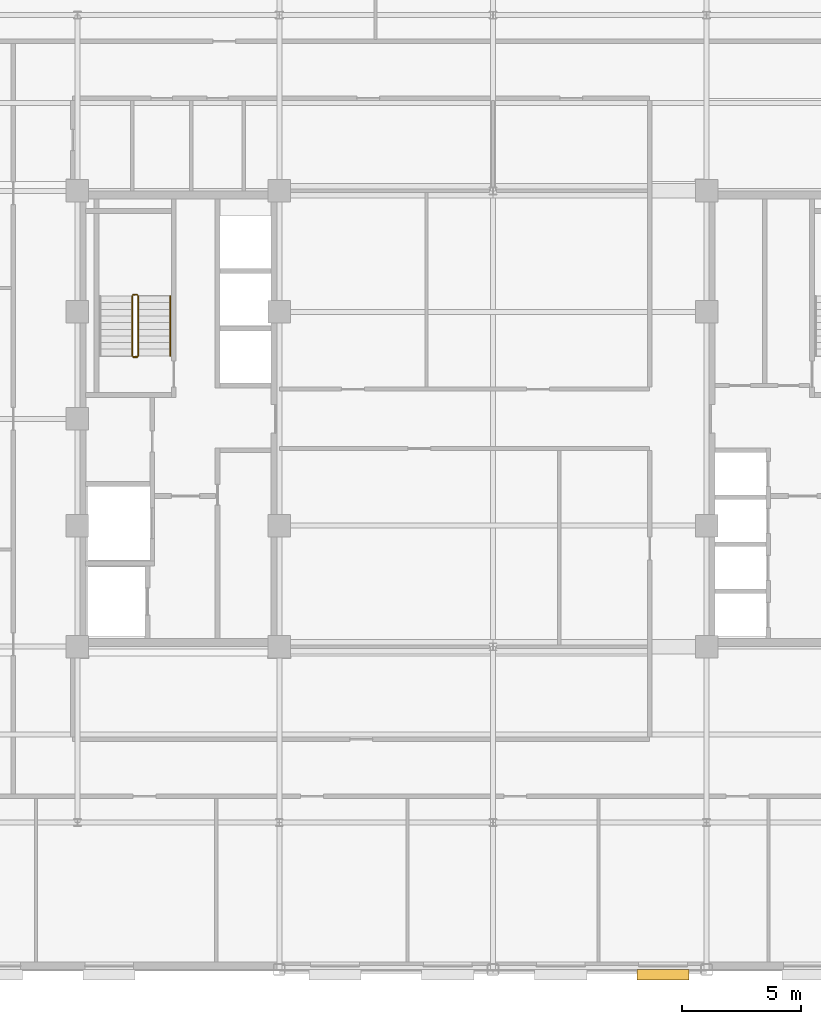
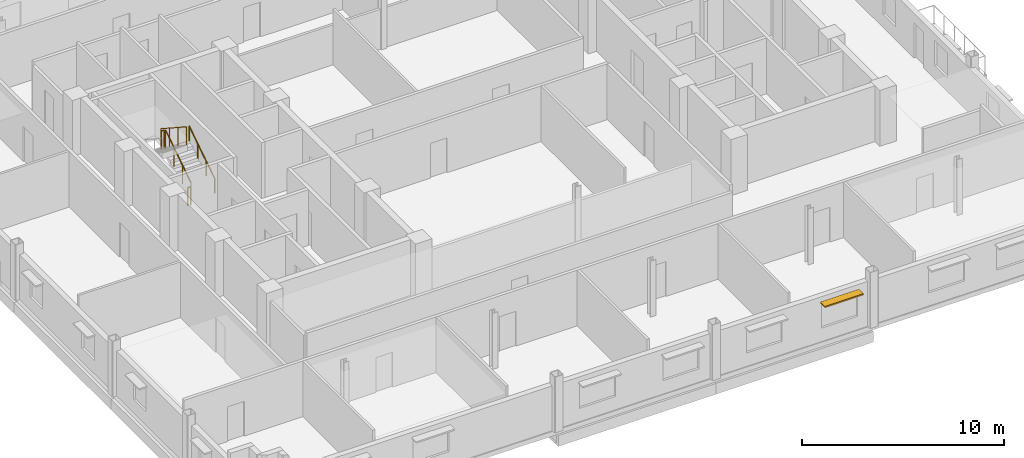
# One storey, part 13 of 15: 5 railings, 1 shading device.
"""IFC4 building model written with IfcOpenShell, lengths in metres."""

from ifc_helpers import new_model, si_unit, direction, frame, origin, origin_2d, place, context, subcontext, project, spatial, rectangle, circle, extrude, source, transform, mapped, material, type_object, type_shapes, element, save


model = new_model("IFC4")

# Units and contexts
model_context = context("Model", 3, precision=1e-05, world=origin(), true_north=direction((0.0, 1.0)))
body_context = subcontext(model_context, "Body", "Model", "MODEL_VIEW")
ifc_project = project(units=[si_unit("LENGTHUNIT", "METRE"), si_unit("AREAUNIT", "SQUARE_METRE"), si_unit("VOLUMEUNIT", "CUBIC_METRE"), si_unit("PLANEANGLEUNIT", "RADIAN"), si_unit("MASSUNIT", "GRAM", prefix="KILO")], contexts=[model_context])

# Site, building, storey
site_placement = place(None, origin())
site = spatial("IfcSite", under=ifc_project, at=site_placement, CompositionType="ELEMENT")
building_placement = place(site_placement, origin())
building = spatial("IfcBuilding", under=site, at=building_placement, Name="Nuvemarco Arch Tower", CompositionType="ELEMENT")
storey_placement = place(building_placement, frame((0.0, 0.0, 198.199951171875)))
storey = spatial("IfcBuildingStorey", under=building, at=storey_placement, Name="L52", CompositionType="ELEMENT", Elevation=198.199951171875)

# Railings
ifc_material_1 = material(Name="Brushed stainless steel handrail", Category="steel")
railing_type_1 = type_object("IfcRailingType", Name="RL-HANDRAIL-900", PredefinedType="HANDRAIL", material=ifc_material_1)
railing_1_placement = place(storey_placement, frame((-13.590087890625, 2.64990234375, 0.1826171875)))
element("IfcRailing", 1, at=railing_1_placement, inside=storey, type_object=railing_type_1, Name="L52 ST-1 stair handrail 1", PredefinedType="HANDRAIL", context=body_context, shape_type="SweptSolid", body=[
    extrude(circle(Radius=0.02392578125, at=origin_2d()), frame((0.0, 0.0, 0.8759765625), z_axis=(0.0, 0.837786554691, 0.545997883492), x_axis=(-1.0, 0.0, 0.0)), (0.0, 0.0, 1.0), 3.008056640625),
    extrude(circle(Radius=0.02099609375, at=origin_2d()), origin(), (0.0, 0.0, 1.0), 0.851806640625),
    extrude(circle(Radius=0.02099609375, at=origin_2d()), frame((0.0, 0.840087890625, 0.54736328125)), (0.0, 0.0, 1.0), 0.851806640625),
    extrude(circle(Radius=0.02099609375, at=origin_2d()), frame((0.0, 1.679931640625, 1.094970703125)), (0.0, 0.0, 1.0), 0.851806640625),
    extrude(circle(Radius=0.02099609375, at=origin_2d()), frame((0.0, 2.52001953125, 1.642333984375)), (0.0, 0.0, 1.0), 0.851806640625),
])
ifc_material_2 = material(Name="Painted balustrade steel S355", Category="steel")
railing_type_2 = type_object("IfcRailingType", Name="RL-STAIR-GUARD", PredefinedType="GUARDRAIL", material=ifc_material_2)
railing_2_placement = place(storey_placement, frame((-14.93994140625, 2.64990234375, 0.1826171875)))
element("IfcRailing", 2, at=railing_2_placement, inside=storey, type_object=railing_type_2, Name="L52 ST-1 stair guard 1", PredefinedType="GUARDRAIL", context=body_context, shape_type="SweptSolid", body=[
    extrude(circle(Radius=0.02392578125, at=origin_2d()), frame((0.0, 0.0, 1.09619140625), z_axis=(0.0, 0.837786554691, 0.545997883492), x_axis=(-1.0, 0.0, 0.0)), (0.0, 0.0, 1.0), 3.008056640625),
    extrude(circle(Radius=0.02099609375, at=origin_2d()), origin(), (0.0, 0.0, 1.0), 1.072021484375),
    extrude(circle(Radius=0.02099609375, at=origin_2d()), frame((0.0, 0.840087890625, 0.54736328125)), (0.0, 0.0, 1.0), 1.072021484375),
    extrude(circle(Radius=0.02099609375, at=origin_2d()), frame((0.0, 1.679931640625, 1.094970703125)), (0.0, 0.0, 1.0), 1.072021484375),
    extrude(circle(Radius=0.02099609375, at=origin_2d()), frame((0.0, 2.52001953125, 1.642333984375)), (0.0, 0.0, 1.0), 1.072021484375),
])
railing_3_placement = place(storey_placement, frame((-14.989990234375, 5.219970703125, 1.824951171875)))
element("IfcRailing", 3, at=railing_3_placement, inside=storey, type_object=railing_type_2, Name="L52 ST-1 stair guard 2", PredefinedType="GUARDRAIL", context=body_context, shape_type="SweptSolid", body=[
    extrude(circle(Radius=0.02392578125, at=origin_2d()), frame((0.0, 0.0, 1.09619140625), z_axis=(-1.0, 0.0, 0.0), x_axis=(0.0, -1.0, 0.0)), (0.0, 0.0, 1.0), 0.159912109375),
    extrude(circle(Radius=0.02099609375, at=origin_2d()), origin(), (0.0, 0.0, 1.0), 1.072021484375),
    extrude(circle(Radius=0.02099609375, at=origin_2d()), frame((-0.159912109375, 0.0, 0.0)), (0.0, 0.0, 1.0), 1.072021484375),
])
railing_4_placement = place(storey_placement, frame((-15.199951171875, 5.169921875, 2.007568359375)))
element("IfcRailing", 4, at=railing_4_placement, inside=storey, type_object=railing_type_2, Name="L52 ST-1 stair guard 3", PredefinedType="GUARDRAIL", context=body_context, shape_type="SweptSolid", body=[
    extrude(circle(Radius=0.02392578125, at=origin_2d()), frame((0.0, 0.0, 1.09619140625), z_axis=(0.0, -0.837749427056, 0.546054848405), x_axis=(1.0, 0.0, 0.0)), (0.0, 0.0, 1.0), 3.008056640625),
    extrude(circle(Radius=0.02099609375, at=origin_2d()), origin(), (0.0, 0.0, 1.0), 1.072021484375),
    extrude(circle(Radius=0.02099609375, at=origin_2d()), frame((0.0, -0.840087890625, 0.547607421875)), (0.0, 0.0, 1.0), 1.072021484375),
    extrude(circle(Radius=0.02099609375, at=origin_2d()), frame((0.0, -1.679931640625, 1.094970703125)), (0.0, 0.0, 1.0), 1.072021484375),
    extrude(circle(Radius=0.02099609375, at=origin_2d()), frame((0.0, -2.52001953125, 1.642578125)), (0.0, 0.0, 1.0), 1.072021484375),
])
railing_5_placement = place(storey_placement, frame((-14.989990234375, 2.60009765625, 0.0)))
element("IfcRailing", 5, at=railing_5_placement, inside=storey, type_object=railing_type_2, Name="L52 ST-1 stair guard 4", PredefinedType="GUARDRAIL", context=body_context, shape_type="SweptSolid", body=[
    extrude(circle(Radius=0.02392578125, at=origin_2d()), frame((0.0, 0.0, 1.09619140625), z_axis=(-1.0, 0.0, 0.0), x_axis=(0.0, -1.0, 0.0)), (0.0, 0.0, 1.0), 0.159912109375),
    extrude(circle(Radius=0.02099609375, at=origin_2d()), origin(), (0.0, 0.0, 1.0), 1.072021484375),
    extrude(circle(Radius=0.02099609375, at=origin_2d()), frame((-0.159912109375, 0.0, 0.0)), (0.0, 0.0, 1.0), 1.072021484375),
])

# Shading device
ifc_material_3 = material(Name="Anodised aluminium 6063-T6", Category="aluminium")
shading_device_type = type_object("IfcShadingDeviceType", Name="SHD-BRISE-SOLEIL", PredefinedType="USERDEFINED", material=ifc_material_3)
shared_shape = source(origin(), body_context, "Body", "SweptSolid", [
    extrude(rectangle(XDim=2.199951171875, YDim=0.449951171875, at=origin_2d()), origin(), (0.0, 0.0, 1.0), 0.080078125),
])
type_shapes(shading_device_type, [shared_shape])
shading_device_placement = place(storey_placement, frame((7.1611328125, -23.4150390625, 2.324951171875), z_axis=(0.0, 0.0, 1.0), x_axis=(1.0, 0.0, 0.0)))
element("IfcShadingDevice", 6, at=shading_device_placement, inside=storey, type_object=shading_device_type, Name="L52 horizontal brise-soleil sunshade", ObjectType="SUNSHADE", PredefinedType="USERDEFINED", context=body_context, shape_type="MappedRepresentation", body=[
    mapped(shared_shape, transform((0.0, 0.0, 0.0), scale=1.0)),
])

save(model, "model.ifc")
